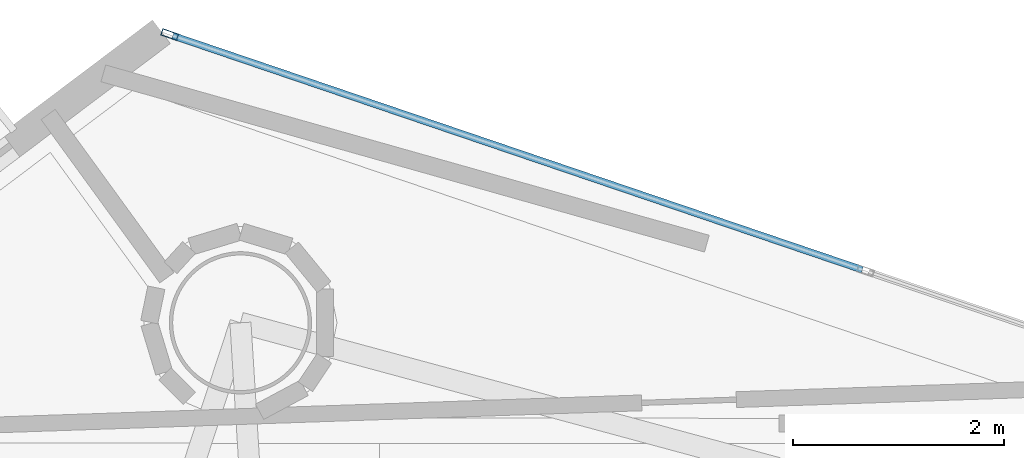
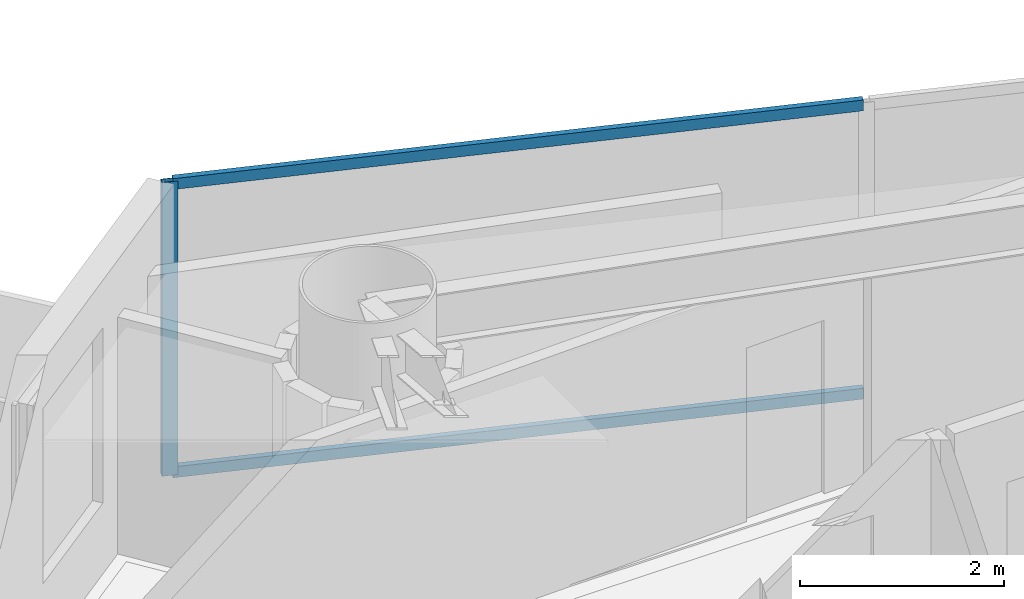
# One storey, part 16 of 22: 3 members, 1 element without a shape of its own.
"""IFC4 building model written with IfcOpenShell, lengths in metres."""

from ifc_helpers import new_model, si_unit, direction, frame, origin, origin_2d, place, context, subcontext, project, spatial, hollow_rectangle, extrude, material, layer, layer_set, material_profile, profile_set, type_object, element, aggregate, save


model = new_model("IFC4")

# Units and contexts
model_context = context("Model", 3, precision=1e-05, world=origin(), true_north=direction((0.0, 1.0)))
body_context = subcontext(model_context, "Body", "Model", "MODEL_VIEW")
ifc_project = project(units=[si_unit("LENGTHUNIT", "METRE"), si_unit("AREAUNIT", "SQUARE_METRE"), si_unit("VOLUMEUNIT", "CUBIC_METRE"), si_unit("PLANEANGLEUNIT", "RADIAN"), si_unit("MASSUNIT", "GRAM", prefix="KILO")], contexts=[model_context])

# Site, building, storey
site_placement = place(None, origin())
site = spatial("IfcSite", under=ifc_project, at=site_placement, CompositionType="ELEMENT")
building_placement = place(site_placement, origin())
building = spatial("IfcBuilding", under=site, at=building_placement, Name="Qianvela Tower", CompositionType="ELEMENT")
storey_placement = place(building_placement, frame((0.0, 0.0, 169.800048828125)))
storey = spatial("IfcBuildingStorey", under=building, at=storey_placement, Name="L43", CompositionType="ELEMENT", Elevation=169.800048828125)

# Curtain wall, members
ifc_material_1 = material(Name="Anodised Architectural Aluminium and Low-E Glass", Category="aluminium")
ifc_layer = layer(ifc_material_1, 0.169921875)
ifc_layer_set = layer_set([ifc_layer], Name="Anodised Architectural Aluminium and Low-E Glass")
curtain_wall_type = type_object("IfcCurtainWallType", Name="CW-COLIV-Z34", PredefinedType="USERDEFINED", material=ifc_layer_set)
curtain_wall_placement = place(storey_placement, origin())
curtain_wall = element("IfcCurtainWall", 1, at=curtain_wall_placement, inside=storey, type_object=curtain_wall_type, Name="L43 CW-COLIV-Z34 Curtain Wall 02C", ObjectType="CURTAIN_WALL_SYSTEM", PredefinedType="USERDEFINED")
ifc_material_2 = material(Name="Anodised Architectural Aluminium 6063-T6", Category="aluminium")
ifc_material_profile_1 = material_profile(ifc_material_2, hollow_rectangle(XDim=0.06494140625, YDim=0.159912109375, WallThickness=0.0048828125, at=origin_2d()), Name="ALU-MULL-65x160")
ifc_profile_set_1 = profile_set([ifc_material_profile_1], Name="Anodised Architectural Aluminium 6063-T6")
member_type_1 = type_object("IfcMemberType", Name="CW-COLIV-Z34-MULL", PredefinedType="MULLION", material=ifc_profile_set_1)
member_1_placement = place(storey_placement, frame((27.563232421875, 42.146484375, 0.0), z_axis=(0.0, 0.0, 1.0), x_axis=(-0.321484175751, -0.946914951166, 0.0)))
member_1 = element("IfcMember", 2, at=member_1_placement, type_object=member_type_1, Name="CW-4 mullion 3", PredefinedType="MULLION", context=body_context, shape_type="SweptSolid", body=[
    extrude(hollow_rectangle(XDim=0.06494140625, YDim=0.159912109375, WallThickness=0.0048828125, at=origin_2d()), origin(), (0.0, 0.0, 1.0), 3.52001953125),
])
ifc_material_3 = material(Name="Anodised Architectural Aluminium 6063-T6", Category="aluminium")
ifc_material_profile_2 = material_profile(ifc_material_3, hollow_rectangle(XDim=0.06494140625, YDim=0.1298828125, WallThickness=0.00439453125, at=origin_2d()), Name="ALU-TRAN-65x130")
ifc_profile_set_2 = profile_set([ifc_material_profile_2], Name="Anodised Architectural Aluminium 6063-T6")
member_type_2 = type_object("IfcMemberType", Name="CW-COLIV-Z34-TRAN", PredefinedType="USERDEFINED", material=ifc_profile_set_2)
member_2_placement = place(storey_placement, frame((34.137451171875, 39.91455078125, 0.032470703125), z_axis=(-0.946919945638, 0.321469464419, 0.0), x_axis=(-0.321469464419, -0.946919945638, 0.0)))
member_2 = element("IfcMember", 3, at=member_2_placement, type_object=member_type_2, Name="CW-4 transom 2.1", ObjectType="TRANSOM", PredefinedType="USERDEFINED", context=body_context, shape_type="SweptSolid", body=[
    extrude(hollow_rectangle(XDim=0.06494140625, YDim=0.1298828125, WallThickness=0.00439453125, at=origin_2d()), origin(), (0.0, 0.0, 1.0), 6.91015625),
])
member_3_placement = place(storey_placement, frame((34.137451171875, 39.91455078125, 3.487548828125), z_axis=(-0.946919945638, 0.321469464419, 0.0), x_axis=(-0.321469464419, -0.946919945638, 0.0)))
member_3 = element("IfcMember", 4, at=member_3_placement, type_object=member_type_2, Name="CW-4 transom 2.2", ObjectType="TRANSOM", PredefinedType="USERDEFINED", context=body_context, shape_type="SweptSolid", body=[
    extrude(hollow_rectangle(XDim=0.06494140625, YDim=0.1298828125, WallThickness=0.00439453125, at=origin_2d()), origin(), (0.0, 0.0, 1.0), 6.91015625),
])
aggregate(curtain_wall, [member_1, member_2, member_3])

save(model, "model.ifc")
